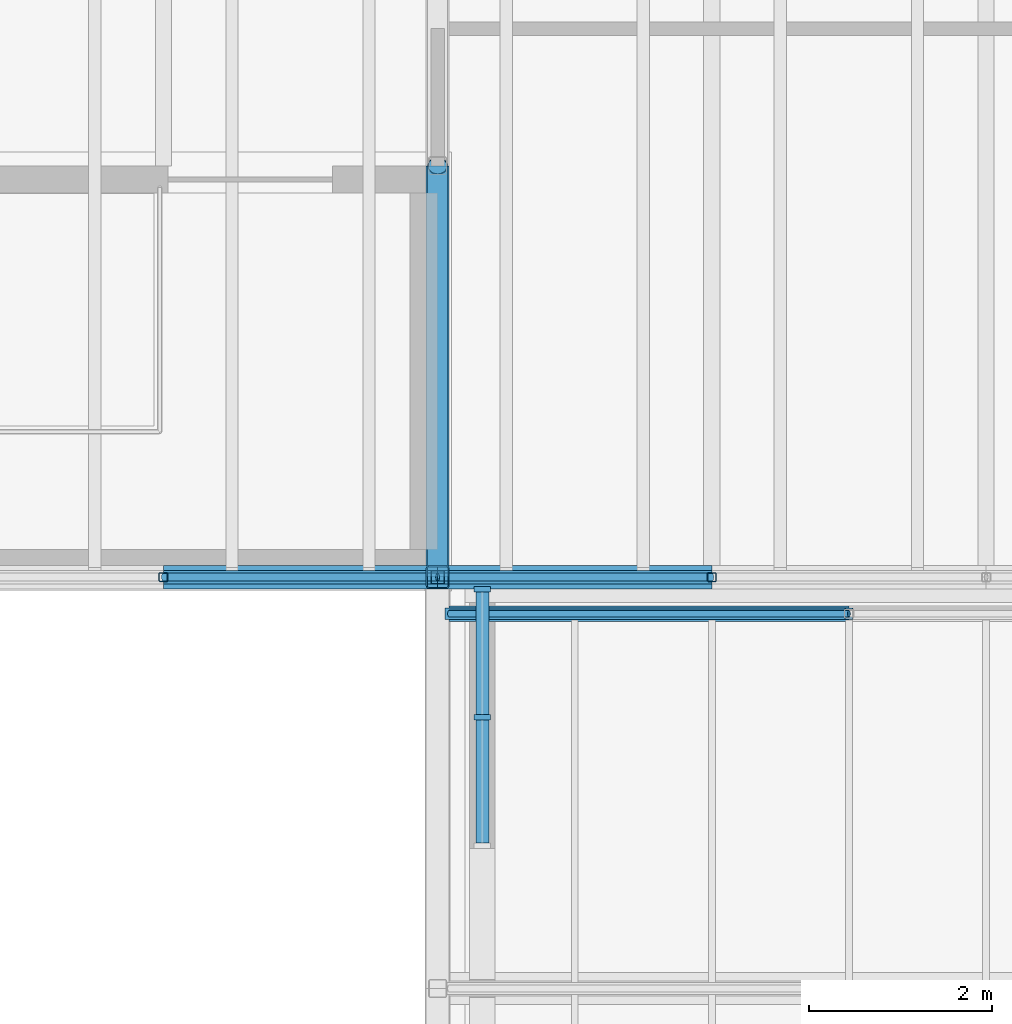
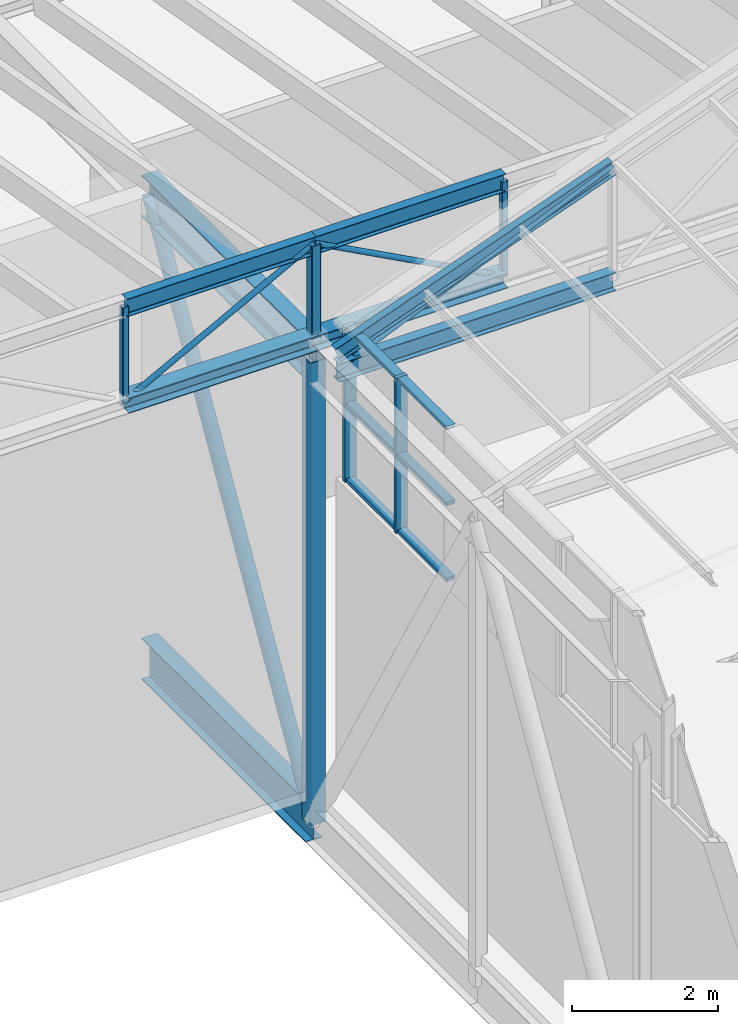
# One storey, part 24 of 90: 24 members, 1 element without a shape of its own.
"""IFC4 building model written with IfcOpenShell, lengths in metres."""

from ifc_helpers import new_model, si_unit, direction, frame, origin, origin_2d, place, context, subcontext, project, spatial, rectangle, hollow_rectangle, hollow_circle, i_section, extrude, material, layer, layer_set, material_profile, profile_set, type_object, element, aggregate, save


model = new_model("IFC4")

# Units and contexts
model_context = context("Model", 3, precision=1e-05, world=origin(), true_north=direction((0.0, 1.0)))
body_context = subcontext(model_context, "Body", "Model", "MODEL_VIEW")
ifc_project = project(units=[si_unit("LENGTHUNIT", "METRE"), si_unit("AREAUNIT", "SQUARE_METRE"), si_unit("VOLUMEUNIT", "CUBIC_METRE"), si_unit("PLANEANGLEUNIT", "RADIAN"), si_unit("MASSUNIT", "GRAM", prefix="KILO")], contexts=[model_context])

# Site, building, storey
site_placement = place(None, origin())
site = spatial("IfcSite", under=ifc_project, at=site_placement, CompositionType="ELEMENT")
building_placement = place(site_placement, origin())
building = spatial("IfcBuilding", under=site, at=building_placement, Name="Halyard Row Museum", CompositionType="ELEMENT")
storey_placement = place(building_placement, frame((0.0, 0.0, 13.39990234375)))
storey = spatial("IfcBuildingStorey", under=building, at=storey_placement, Name="L03", CompositionType="ELEMENT", Elevation=13.39990234375)

# Curtain wall, members
ifc_material_1 = material(Name="Double glazed unit, low-emissivity", Category="glass")
ifc_layer = layer(ifc_material_1, 0.179931640625)
ifc_layer_set = layer_set([ifc_layer], Name="Double glazed unit, low-emissivity")
curtain_wall_type = type_object("IfcCurtainWallType", Name="Curtain wall stick 180 deep", PredefinedType="NOTDEFINED", material=ifc_layer_set)
curtain_wall_placement = place(storey_placement, origin())
curtain_wall = element("IfcCurtainWall", 1, at=curtain_wall_placement, inside=storey, type_object=curtain_wall_type, Name="Curtain wall CW070", PredefinedType="NOTDEFINED")
ifc_material_2 = material(Name="Powder-coated aluminium section", Category="aluminium")
ifc_material_profile_1 = material_profile(ifc_material_2, rectangle(XDim=0.179931640625, YDim=0.06005859375, at=origin_2d()), Name="180x60 mullion")
ifc_profile_set_1 = profile_set([ifc_material_profile_1], Name="Powder-coated aluminium section")
member_type_1 = type_object("IfcMemberType", Name="Curtain wall mullion CM2 60 x 180", PredefinedType="MULLION", material=ifc_profile_set_1)
member_1_placement = place(storey_placement, frame((36.489990234375, 16.466552734375, 5.07275390625), z_axis=(0.0, 0.0, 1.0), x_axis=(-1.0, 0.0, 0.0)))
member_1 = element("IfcMember", 2, at=member_1_placement, type_object=member_type_1, Name="CW070 mullion 2", PredefinedType="MULLION", context=body_context, shape_type="SweptSolid", body=[
    extrude(rectangle(XDim=0.179931640625, YDim=0.06005859375, at=origin_2d()), origin(), (0.0, 0.0, 1.0), 2.60009765625),
])
member_2_placement = place(storey_placement, frame((36.489990234375, 17.8701171875, 5.07275390625), z_axis=(0.0, 0.0, 1.0), x_axis=(-1.0, 0.0, 0.0)))
member_2 = element("IfcMember", 3, at=member_2_placement, type_object=member_type_1, Name="CW070 mullion 3", PredefinedType="MULLION", context=body_context, shape_type="SweptSolid", body=[
    extrude(rectangle(XDim=0.179931640625, YDim=0.06005859375, at=origin_2d()), origin(), (0.0, 0.0, 1.0), 2.60009765625),
])
ifc_material_3 = material(Name="Powder-coated aluminium section", Category="aluminium")
ifc_material_profile_2 = material_profile(ifc_material_3, rectangle(XDim=0.139892578125, YDim=0.06005859375, at=origin_2d()), Name="140x60 transom")
ifc_profile_set_2 = profile_set([ifc_material_profile_2], Name="Powder-coated aluminium section")
member_type_2 = type_object("IfcMemberType", Name="Curtain wall transom CT2 60 x 140", PredefinedType="USERDEFINED", material=ifc_profile_set_2)
member_3_placement = place(storey_placement, frame((36.489990234375, 15.09326171875, 5.102783203125), z_axis=(0.0, 1.0, 0.0), x_axis=(-1.0, 0.0, 0.0)))
member_3 = element("IfcMember", 4, at=member_3_placement, type_object=member_type_2, Name="CW070 transom 1.1", ObjectType="TRANSOM", PredefinedType="USERDEFINED", context=body_context, shape_type="SweptSolid", body=[
    extrude(rectangle(XDim=0.139892578125, YDim=0.06005859375, at=origin_2d()), origin(), (0.0, 0.0, 1.0), 1.343505859375),
])
member_4_placement = place(storey_placement, frame((36.489990234375, 15.09326171875, 6.372802734375), z_axis=(0.0, 1.0, 0.0), x_axis=(-1.0, 0.0, 0.0)))
member_4 = element("IfcMember", 5, at=member_4_placement, type_object=member_type_2, Name="CW070 transom 1.2", ObjectType="TRANSOM", PredefinedType="USERDEFINED", context=body_context, shape_type="SweptSolid", body=[
    extrude(rectangle(XDim=0.139892578125, YDim=0.06005859375, at=origin_2d()), origin(), (0.0, 0.0, 1.0), 1.343505859375),
])
member_5_placement = place(storey_placement, frame((36.489990234375, 15.09326171875, 7.642822265625), z_axis=(0.0, 1.0, 0.0), x_axis=(-1.0, 0.0, 0.0)))
member_5 = element("IfcMember", 6, at=member_5_placement, type_object=member_type_2, Name="CW070 transom 1.3", ObjectType="TRANSOM", PredefinedType="USERDEFINED", context=body_context, shape_type="SweptSolid", body=[
    extrude(rectangle(XDim=0.139892578125, YDim=0.06005859375, at=origin_2d()), origin(), (0.0, 0.0, 1.0), 1.343505859375),
])
member_6_placement = place(storey_placement, frame((36.489990234375, 16.49658203125, 5.102783203125), z_axis=(0.0, 1.0, 0.0), x_axis=(-1.0, 0.0, 0.0)))
member_6 = element("IfcMember", 7, at=member_6_placement, type_object=member_type_2, Name="CW070 transom 2.1", ObjectType="TRANSOM", PredefinedType="USERDEFINED", context=body_context, shape_type="SweptSolid", body=[
    extrude(rectangle(XDim=0.139892578125, YDim=0.06005859375, at=origin_2d()), origin(), (0.0, 0.0, 1.0), 1.343505859375),
])
member_7_placement = place(storey_placement, frame((36.489990234375, 16.49658203125, 6.372802734375), z_axis=(0.0, 1.0, 0.0), x_axis=(-1.0, 0.0, 0.0)))
member_7 = element("IfcMember", 8, at=member_7_placement, type_object=member_type_2, Name="CW070 transom 2.2", ObjectType="TRANSOM", PredefinedType="USERDEFINED", context=body_context, shape_type="SweptSolid", body=[
    extrude(rectangle(XDim=0.139892578125, YDim=0.06005859375, at=origin_2d()), origin(), (0.0, 0.0, 1.0), 1.343505859375),
])
member_8_placement = place(storey_placement, frame((36.489990234375, 16.49658203125, 7.642822265625), z_axis=(0.0, 1.0, 0.0), x_axis=(-1.0, 0.0, 0.0)))
member_8 = element("IfcMember", 9, at=member_8_placement, type_object=member_type_2, Name="CW070 transom 2.3", ObjectType="TRANSOM", PredefinedType="USERDEFINED", context=body_context, shape_type="SweptSolid", body=[
    extrude(rectangle(XDim=0.139892578125, YDim=0.06005859375, at=origin_2d()), origin(), (0.0, 0.0, 1.0), 1.343505859375),
])
aggregate(curtain_wall, [member_1, member_2, member_3, member_4, member_5, member_6, member_7, member_8])

# Members
ifc_material_4 = material(Name="Steel Grade C250L0", Category="steel")
ifc_material_profile_3 = material_profile(ifc_material_4, hollow_circle(Radius=0.0380859375, WallThickness=0.00439453125, at=origin_2d()), Name="76.1x4.5CHS")
ifc_profile_set_3 = profile_set([ifc_material_profile_3], Name="Steel Grade C250L0")
member_type_3 = type_object("IfcMemberType", Name="Roof truss diagonal 76.1x4.5CHS", PredefinedType="BRACE", material=ifc_profile_set_3)
member_9_placement = place(storey_placement, frame((36.125, 17.60009765625, 7.197998046875), z_axis=(0.917636560923, 0.0, 0.397420611012), x_axis=(0.0, 1.0, 0.0)))
element("IfcMember", 10, at=member_9_placement, inside=storey, type_object=member_type_3, Name="V4RT5 diagonal 1", PredefinedType="BRACE", context=body_context, shape_type="SweptSolid", body=[
    extrude(hollow_circle(Radius=0.0380859375, WallThickness=0.00439453125, at=origin_2d()), origin(), (0.0, 0.0, 1.0), 4.767578125),
])
ifc_material_5 = material(Name="Steel Grade 300", Category="steel")
ifc_material_profile_4 = material_profile(ifc_material_5, i_section(OverallWidth=0.1240234375, OverallDepth=0.248046875, WebThickness=0.0048828125, FlangeThickness=0.008056640625, FilletRadius=0.011962890625, at=origin_2d()), Name="250UB25.7")
ifc_profile_set_4 = profile_set([ifc_material_profile_4], Name="Steel Grade 300")
member_type_4 = type_object("IfcMemberType", Name="Roof truss rafter 250UB25.7 end truss", PredefinedType="RAFTER", material=ifc_profile_set_4)
member_10_placement = place(storey_placement, frame((36.125, 17.60009765625, 7.483642578125), z_axis=(0.938531649117, 0.0, 0.345193197507), x_axis=(0.0, 1.0, 0.0)))
element("IfcMember", 11, at=member_10_placement, inside=storey, type_object=member_type_4, Name="V4RT5 rafter 1", PredefinedType="RAFTER", context=body_context, shape_type="SweptSolid", body=[
    extrude(i_section(OverallWidth=0.1240234375, OverallDepth=0.248046875, WebThickness=0.0048828125, FlangeThickness=0.008056640625, FilletRadius=0.011962890625, at=origin_2d()), origin(), (0.0, 0.0, 1.0), 4.66162109375),
])
ifc_material_6 = material(Name="Steel Grade 300", Category="steel")
ifc_material_profile_5 = material_profile(ifc_material_6, i_section(OverallWidth=0.166015625, OverallDepth=0.30712890625, WebThickness=0.006591796875, FlangeThickness=0.01171875, FilletRadius=0.011474609375, at=origin_2d()), Name="310UB46.2")
ifc_profile_set_5 = profile_set([ifc_material_profile_5], Name="Steel Grade 300")
member_type_5 = type_object("IfcMemberType", Name="Roof truss tie 310UB46.2 end truss", PredefinedType="CHORD", material=ifc_profile_set_5)
member_11_placement = place(storey_placement, frame((36.125, 17.60009765625, 7.197998046875), z_axis=(1.0, 0.0, 0.0), x_axis=(0.0, 1.0, 0.0)))
element("IfcMember", 12, at=member_11_placement, inside=storey, type_object=member_type_5, Name="V4RT5 tie 1", PredefinedType="CHORD", context=body_context, shape_type="SweptSolid", body=[
    extrude(i_section(OverallWidth=0.166015625, OverallDepth=0.30712890625, WebThickness=0.006591796875, FlangeThickness=0.01171875, FilletRadius=0.011474609375, at=origin_2d()), origin(), (0.0, 0.0, 1.0), 4.375),
])
ifc_material_7 = material(Name="Steel Grade 300", Category="steel")
ifc_material_profile_6 = material_profile(ifc_material_7, i_section(OverallWidth=0.25, OverallDepth=0.699951171875, WebThickness=0.010009765625, FlangeThickness=0.02001953125, at=origin_2d()), Name="700WB130")
ifc_profile_set_6 = profile_set([ifc_material_profile_6], Name="Steel Grade 300")
member_type_6 = type_object("IfcMemberType", Name="Transfer truss chord 700WB130 bottom", PredefinedType="CHORD", material=ifc_profile_set_6)
member_12_placement = place(storey_placement, frame((36.0, 18.0, -0.514892578125), z_axis=(0.0, 1.0, 0.0), x_axis=(-1.0, 0.0, 0.0)))
element("IfcMember", 13, at=member_12_placement, inside=storey, type_object=member_type_6, Name="TT1 bottom chord 5", PredefinedType="CHORD", context=body_context, shape_type="SweptSolid", body=[
    extrude(i_section(OverallWidth=0.25, OverallDepth=0.699951171875, WebThickness=0.010009765625, FlangeThickness=0.02001953125, at=origin_2d()), origin(), (0.0, 0.0, 1.0), 4.5),
])
ifc_material_8 = material(Name="Steel Grade 300", Category="steel")
ifc_material_profile_7 = material_profile(ifc_material_8, i_section(OverallWidth=0.25, OverallDepth=0.699951171875, WebThickness=0.010009765625, FlangeThickness=0.02001953125, at=origin_2d()), Name="700WB130")
ifc_profile_set_7 = profile_set([ifc_material_profile_7], Name="Steel Grade 300")
member_type_7 = type_object("IfcMemberType", Name="Transfer truss chord 700WB130 top", PredefinedType="CHORD", material=ifc_profile_set_7)
member_13_placement = place(storey_placement, frame((36.0, 18.0, 7.22998046875), z_axis=(0.0, 1.0, 0.0), x_axis=(-1.0, 0.0, 0.0)))
element("IfcMember", 14, at=member_13_placement, inside=storey, type_object=member_type_7, Name="TT1 top chord 5", PredefinedType="CHORD", context=body_context, shape_type="SweptSolid", body=[
    extrude(i_section(OverallWidth=0.25, OverallDepth=0.699951171875, WebThickness=0.010009765625, FlangeThickness=0.02001953125, at=origin_2d()), origin(), (0.0, 0.0, 1.0), 4.5),
])
ifc_material_9 = material(Name="Steel Grade C350L0", Category="steel")
ifc_material_profile_8 = material_profile(ifc_material_9, hollow_circle(Radius=0.109619140625, WallThickness=0.00830078125, at=origin_2d()), Name="219.1x8.2CHS")
ifc_profile_set_8 = profile_set([ifc_material_profile_8], Name="Steel Grade C350L0")
member_type_8 = type_object("IfcMemberType", Name="Transfer truss diagonal 219.1x8.2CHS", PredefinedType="BRACE", material=ifc_profile_set_8)
member_14_placement = place(storey_placement, frame((36.0, 18.0, -0.514892578125), z_axis=(0.0, 0.502384046634, 0.864644591545), x_axis=(-1.0, 0.0, 0.0)))
element("IfcMember", 15, at=member_14_placement, inside=storey, type_object=member_type_8, Name="TT1 diagonal 5", PredefinedType="BRACE", context=body_context, shape_type="SweptSolid", body=[
    extrude(hollow_circle(Radius=0.109619140625, WallThickness=0.00830078125, at=origin_2d()), origin(), (0.0, 0.0, 1.0), 8.957275390625),
])
ifc_material_10 = material(Name="Steel Grade C350L0", Category="steel")
ifc_material_profile_9 = material_profile(ifc_material_10, hollow_rectangle(XDim=0.25, YDim=0.25, WallThickness=0.012451171875, InnerFilletRadius=0.018798828125, OuterFilletRadius=0.03125, at=origin_2d()), Name="250x250x12.5SHS")
ifc_profile_set_9 = profile_set([ifc_material_profile_9], Name="Steel Grade C350L0")
member_type_9 = type_object("IfcMemberType", Name="Transfer truss post 250x250x12.5SHS", PredefinedType="POST", material=ifc_profile_set_9)
member_15_placement = place(storey_placement, frame((36.0, 18.0, -0.514892578125), z_axis=(0.0, 0.0, 1.0), x_axis=(1.0, 0.0, 0.0)))
element("IfcMember", 16, at=member_15_placement, inside=storey, type_object=member_type_9, Name="TT1 post 5", PredefinedType="POST", context=body_context, shape_type="SweptSolid", body=[
    extrude(hollow_rectangle(XDim=0.25, YDim=0.25, WallThickness=0.012451171875, InnerFilletRadius=0.018798828125, OuterFilletRadius=0.03125, at=origin_2d()), origin(), (0.0, 0.0, 1.0), 7.744873046875),
])
ifc_material_11 = material(Name="Steel Grade 300", Category="steel")
ifc_material_profile_10 = material_profile(ifc_material_11, i_section(OverallWidth=0.25390625, OverallDepth=0.25390625, WebThickness=0.008544921875, FlangeThickness=0.01416015625, FilletRadius=0.013916015625, at=origin_2d()), Name="250UC72.9")
ifc_profile_set_10 = profile_set([ifc_material_profile_10], Name="Steel Grade 300")
member_type_10 = type_object("IfcMemberType", Name="Valley truss bottom chord 250UC72.9", PredefinedType="CHORD", material=ifc_profile_set_10)
for number, where, z_axis, x_axis, name in (
    (17, (33.0, 18.0, 7.527099609375), (1.0, 0.0, 0.0), (0.0, 1.0, 0.0), "V1-VT1 bottom chord 1.3"),
    (18, (36.0, 18.0, 7.527099609375), (1.0, 0.0, 0.0), (0.0, 1.0, 0.0), "V1-VT1 bottom chord 2.1"),
):
    element("IfcMember", number, at=place(storey_placement, frame(where, z_axis=z_axis, x_axis=x_axis)), inside=storey, type_object=member_type_10, Name=name, PredefinedType="CHORD", context=body_context, shape_type="SweptSolid", body=[
        extrude(i_section(OverallWidth=0.25390625, OverallDepth=0.25390625, WebThickness=0.008544921875, FlangeThickness=0.01416015625, FilletRadius=0.013916015625, at=origin_2d()), origin(), (0.0, 0.0, 1.0), 3.0),
    ])
ifc_material_12 = material(Name="Steel Grade C250L0", Category="steel")
ifc_material_profile_11 = material_profile(ifc_material_12, hollow_circle(Radius=0.04443359375, WallThickness=0.0048828125, at=origin_2d()), Name="88.9x5.0CHS")
ifc_profile_set_11 = profile_set([ifc_material_profile_11], Name="Steel Grade C250L0")
member_type_11 = type_object("IfcMemberType", Name="Valley truss diagonal 88.9x5.0CHS", PredefinedType="BRACE", material=ifc_profile_set_11)
for number, where, z_axis, x_axis, name in (
    (19, (33.0, 18.0, 7.527099609375), (0.881863759518, 0.0, 0.471504305016), (0.0, 1.0, 0.0), "V1-VT1 diagonal 1.3"),
    (20, (36.0, 18.0, 9.131103515625), (0.881863759518, 0.0, -0.471504305016), (0.0, 1.0, 0.0), "V1-VT1 diagonal 2.1"),
):
    element("IfcMember", number, at=place(storey_placement, frame(where, z_axis=z_axis, x_axis=x_axis)), inside=storey, type_object=member_type_11, Name=name, PredefinedType="BRACE", context=body_context, shape_type="SweptSolid", body=[
        extrude(hollow_circle(Radius=0.04443359375, WallThickness=0.0048828125, at=origin_2d()), origin(), (0.0, 0.0, 1.0), 3.40185546875),
    ])
ifc_material_13 = material(Name="Steel Grade C350L0", Category="steel")
ifc_material_profile_12 = material_profile(ifc_material_13, hollow_rectangle(XDim=0.10009765625, YDim=0.10009765625, WallThickness=0.006103515625, InnerFilletRadius=0.009033203125, OuterFilletRadius=0.014892578125, at=origin_2d()), Name="100x100x6.0SHS")
ifc_profile_set_12 = profile_set([ifc_material_profile_12], Name="Steel Grade C350L0")
member_type_12 = type_object("IfcMemberType", Name="Valley truss post 100x100x6.0SHS", PredefinedType="POST", material=ifc_profile_set_12)
for number, where, z_axis, x_axis, name in (
    (21, (33.0, 18.0, 7.527099609375), (0.0, 0.0, 1.0), (1.0, 0.0, 0.0), "V1-VT1 post 1.2"),
    (22, (39.0, 18.0, 7.527099609375), (0.0, 0.0, 1.0), (1.0, 0.0, 0.0), "V1-VT1 post 2.1"),
):
    element("IfcMember", number, at=place(storey_placement, frame(where, z_axis=z_axis, x_axis=x_axis)), inside=storey, type_object=member_type_12, Name=name, PredefinedType="POST", context=body_context, shape_type="SweptSolid", body=[
        extrude(hollow_rectangle(XDim=0.10009765625, YDim=0.10009765625, WallThickness=0.006103515625, InnerFilletRadius=0.009033203125, OuterFilletRadius=0.014892578125, at=origin_2d()), origin(), (0.0, 0.0, 1.0), 1.60400390625),
    ])
ifc_material_14 = material(Name="Steel Grade C350L0", Category="steel")
ifc_material_profile_13 = material_profile(ifc_material_14, hollow_rectangle(XDim=0.14990234375, YDim=0.14990234375, WallThickness=0.006103515625, InnerFilletRadius=0.009033203125, OuterFilletRadius=0.014892578125, at=origin_2d()), Name="150x150x6.0SHS")
ifc_profile_set_13 = profile_set([ifc_material_profile_13], Name="Steel Grade C350L0")
member_type_13 = type_object("IfcMemberType", Name="Valley truss post 150x150x6.0SHS", PredefinedType="POST", material=ifc_profile_set_13)
member_16_placement = place(storey_placement, frame((36.0, 18.0, 7.527099609375), z_axis=(0.0, 0.0, 1.0), x_axis=(1.0, 0.0, 0.0)))
element("IfcMember", 23, at=member_16_placement, inside=storey, type_object=member_type_13, Name="V1-VT1 post 1.3", PredefinedType="POST", context=body_context, shape_type="SweptSolid", body=[
    extrude(hollow_rectangle(XDim=0.14990234375, YDim=0.14990234375, WallThickness=0.006103515625, InnerFilletRadius=0.009033203125, OuterFilletRadius=0.014892578125, at=origin_2d()), origin(), (0.0, 0.0, 1.0), 1.60400390625),
])
ifc_material_15 = material(Name="Steel Grade 300", Category="steel")
ifc_material_profile_14 = material_profile(ifc_material_15, i_section(OverallWidth=0.14892578125, OverallDepth=0.298095703125, WebThickness=0.005615234375, FlangeThickness=0.008056640625, FilletRadius=0.012939453125, at=origin_2d()), Name="310UB32.0")
ifc_profile_set_14 = profile_set([ifc_material_profile_14], Name="Steel Grade 300")
member_type_14 = type_object("IfcMemberType", Name="Valley truss top chord 310UB32.0", PredefinedType="CHORD", material=ifc_profile_set_14)
for number, where, z_axis, x_axis, name in (
    (24, (33.0, 18.0, 9.131103515625), (1.0, 0.0, 0.0), (0.0, 1.0, 0.0), "V1-VT1 top chord 1.3"),
    (25, (36.0, 18.0, 9.131103515625), (1.0, 0.0, 0.0), (0.0, 1.0, 0.0), "V1-VT1 top chord 2.1"),
):
    element("IfcMember", number, at=place(storey_placement, frame(where, z_axis=z_axis, x_axis=x_axis)), inside=storey, type_object=member_type_14, Name=name, PredefinedType="CHORD", context=body_context, shape_type="SweptSolid", body=[
        extrude(i_section(OverallWidth=0.14892578125, OverallDepth=0.298095703125, WebThickness=0.005615234375, FlangeThickness=0.008056640625, FilletRadius=0.012939453125, at=origin_2d()), origin(), (0.0, 0.0, 1.0), 3.0),
    ])

save(model, "model.ifc")
